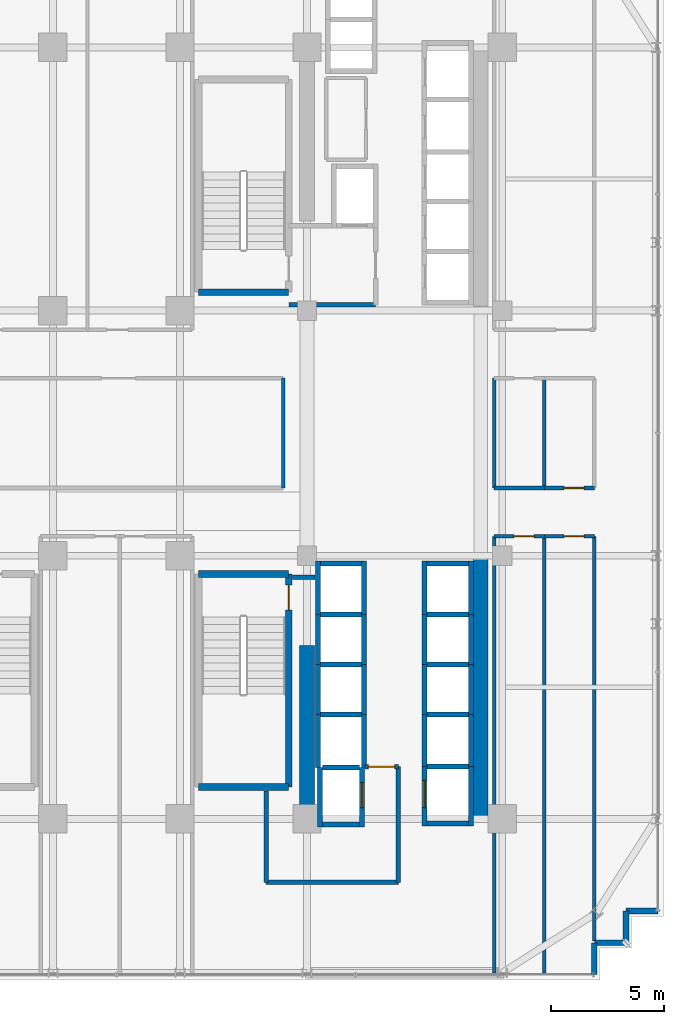
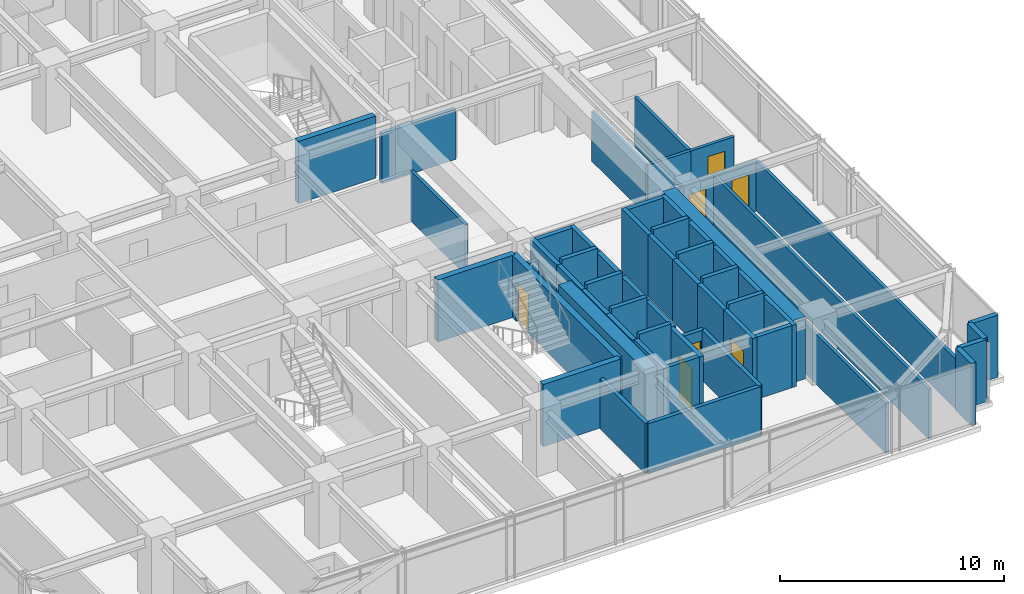
# One storey, part 33 of 39: 58 walls, 7 doors, 7 openings.
"""IFC4 building model written with IfcOpenShell, lengths in metres."""

from ifc_helpers import new_model, si_unit, direction, frame, frame_2d, origin, place, context, subcontext, project, spatial, rectangle, extrude, source, transform, mapped, material, layer, layer_set, type_object, element, fill, save


model = new_model("IFC4")

# Units and contexts
model_context = context("Model", 3, precision=1e-05, world=origin(), true_north=direction((0.0, 1.0)))
body_context = subcontext(model_context, "Body", "Model", "MODEL_VIEW")
ifc_project = project(units=[si_unit("LENGTHUNIT", "METRE"), si_unit("AREAUNIT", "SQUARE_METRE"), si_unit("VOLUMEUNIT", "CUBIC_METRE"), si_unit("PLANEANGLEUNIT", "RADIAN"), si_unit("MASSUNIT", "GRAM", prefix="KILO")], contexts=[model_context])

# Site, building, storey
site_placement = place(None, origin())
site = spatial("IfcSite", under=ifc_project, at=site_placement, CompositionType="ELEMENT")
building_placement = place(site_placement, origin())
building = spatial("IfcBuilding", under=site, at=building_placement, Name="Nahalor Promenade Grand Hotel", CompositionType="ELEMENT")
storey_placement = place(building_placement, frame((0.0, 0.0, 135.75)))
storey = spatial("IfcBuildingStorey", under=building, at=storey_placement, Name="L34", CompositionType="ELEMENT", Elevation=135.75)

# Walls
ifc_material_1 = material(Name="Concrete B-60 (C50/60)", Category="concrete")
ifc_layer_1 = layer(ifc_material_1, 0.64990234375)
ifc_layer_set_1 = layer_set([ifc_layer_1], Name="Concrete B-60 (C50/60)")
wall_type_1 = type_object("IfcWallType", Name="Wall-CoreShear-650", PredefinedType="SHEAR", material=ifc_layer_set_1)
shared_shape_1 = source(origin(), body_context, "Body", "SweptSolid", [
    extrude(rectangle(XDim=7.64990234375, YDim=0.64990234375, at=frame_2d((3.824951171875, 0.0))), origin(), (0.0, 0.0, 1.0), 3.3798828125),
])
wall_1_placement = place(storey_placement, frame((8.39990234375, -17.0, 0.0), z_axis=(0.0, 0.0, 1.0), x_axis=(0.0, 1.0, 0.0)))
element("IfcWall", 1, at=wall_1_placement, inside=storey, type_object=wall_type_1, Name="CWALL-L34-SW", PredefinedType="SHEAR", context=body_context, shape_type="MappedRepresentation", body=[
    mapped(shared_shape_1, transform((0.0, 0.0, 0.0), scale=1.0)),
])
shared_shape_2 = source(origin(), body_context, "Body", "SweptSolid", [
    extrude(rectangle(XDim=11.60009765625, YDim=0.64990234375, at=frame_2d((5.800048828125, 0.0))), origin(), (0.0, 0.0, 1.0), 3.3798828125),
])
wall_2_placement = place(storey_placement, frame((16.050048828125, -17.0, 0.0), z_axis=(0.0, 0.0, 1.0), x_axis=(0.0, 1.0, 0.0)))
element("IfcWall", 2, at=wall_2_placement, inside=storey, type_object=wall_type_1, Name="CWALL-L34-SE", PredefinedType="SHEAR", context=body_context, shape_type="MappedRepresentation", body=[
    mapped(shared_shape_2, transform((0.0, 0.0, 0.0), scale=1.0)),
])
ifc_material_2 = material(Name="Concrete B-50 (C40/50)", Category="concrete")
ifc_layer_2 = layer(ifc_material_2, 0.300048828125)
ifc_layer_set_2 = layer_set([ifc_layer_2], Name="Concrete B-50 (C40/50)")
wall_type_2 = type_object("IfcWallType", Name="Wall-ShaftShear-300", PredefinedType="SHEAR", material=ifc_layer_set_2)
shared_shape_3 = source(origin(), body_context, "Body", "SweptSolid", [
    extrude(rectangle(XDim=3.97998046875, YDim=0.300048828125, at=frame_2d((1.989990234375, 0.0))), origin(), (0.0, 0.0, 1.0), 3.3798828125),
])
for number, where, z_axis, x_axis, name in (
    (3, (3.610107421875, 6.2099609375, 0.0), (0.0, 0.0, 1.0), (1.0, 0.0, 0.0), "L34 Exit Stair ST1 Shaft Wall S"),
    (4, (3.610107421875, -15.590087890625, 0.0), (0.0, 0.0, 1.0), (1.0, 0.0, 0.0), "L34 Exit Stair ST2 Shaft Wall S"),
    (5, (3.610107421875, -6.2099609375, 0.0), (0.0, 0.0, 1.0), (1.0, 0.0, 0.0), "L34 Exit Stair ST2 Shaft Wall N"),
):
    element("IfcWall", number, at=place(storey_placement, frame(where, z_axis=z_axis, x_axis=x_axis)), inside=storey, type_object=wall_type_2, Name=name, PredefinedType="SHEAR", context=body_context, shape_type="MappedRepresentation", body=[
        mapped(shared_shape_3, transform((0.0, 0.0, 0.0), scale=1.0)),
    ])

# Wall, opening, door
shared_shape_4 = source(origin(), body_context, "Body", "SweptSolid", [
    extrude(rectangle(XDim=9.380126953125, YDim=0.300048828125, at=frame_2d((4.68994140625, 0.0))), origin(), (0.0, 0.0, 1.0), 3.3798828125),
])
wall_3_placement = place(storey_placement, frame((7.590087890625, -15.590087890625, 0.0), z_axis=(0.0, 0.0, 1.0), x_axis=(0.0, 1.0, 0.0)))
wall_3 = element("IfcWall", 6, at=wall_3_placement, inside=storey, type_object=wall_type_2, Name="L34 Exit Stair ST2 Shaft Wall E", PredefinedType="SHEAR", context=body_context, shape_type="MappedRepresentation", body=[
    mapped(shared_shape_4, transform((0.0, 0.0, 0.0), scale=1.0)),
])
opening_1_placement = place(wall_3_placement, frame((7.7900390625, 0.0, 0.0)))
opening_1 = element("IfcOpeningElement", 7, at=opening_1_placement, cuts=wall_3, Name="Opening D-ST1", PredefinedType="OPENING", context=body_context, shape_type="SweptSolid", body=[
    extrude(rectangle(XDim=1.10009765625, YDim=2.14990234375, at=frame_2d((0.550048828125, 1.074951171875))), frame((0.0, 0.159912109375, 0.0), z_axis=(0.0, -1.0, 0.0), x_axis=(1.0, 0.0, 0.0)), (0.0, 0.0, 1.0), 0.320068359375),
])
ifc_material_3 = material(Name="Steel S355JR", Category="steel")
door_type_1 = type_object("IfcDoorType", Name="Door-StairFire-1100", OperationType="NOTDEFINED", PredefinedType="DOOR", material=ifc_material_3)
shared_shape_5 = source(origin(), body_context, "Body", "SweptSolid", [
    extrude(rectangle(XDim=1.10009765625, YDim=2.14990234375, at=frame_2d((0.550048828125, 1.074951171875))), frame((0.0, 0.02490234375, 0.0), z_axis=(0.0, -1.0, 0.0), x_axis=(1.0, 0.0, 0.0)), (0.0, 0.0, 1.0), 0.050048828125),
])
door_1_placement = place(opening_1_placement, origin())
door_1 = element("IfcDoor", 8, at=door_1_placement, inside=storey, type_object=door_type_1, Name="DR-STAIR-ST2-L34", OperationType="SINGLE_SWING_LEFT", OverallHeight=2.14990234375, OverallWidth=1.10009765625, PredefinedType="DOOR", context=body_context, shape_type="MappedRepresentation", body=[
    mapped(shared_shape_5, transform((0.0, 0.0, 0.0), scale=1.0)),
])
fill(opening_1, door_1)

# Walls
ifc_layer_3 = layer(ifc_material_2, 0.219970703125)
ifc_layer_set_3 = layer_set([ifc_layer_3], Name="Concrete B-50 (C40/50)")
wall_type_3 = type_object("IfcWallType", Name="Wall-LiftShaft-220", PredefinedType="SHEAR", material=ifc_layer_set_3)
shared_shape_6 = source(origin(), body_context, "Body", "SweptSolid", [
    extrude(rectangle(XDim=1.820068359375, YDim=0.219970703125, at=frame_2d((0.91015625, 0.0))), origin(), (0.0, 0.0, 1.0), 3.64990234375),
])
for number, where, z_axis, x_axis, name in (
    (9, (13.68994140625, -8.0, 0.0), (0.0, 0.0, 1.0), (1.0, 0.0, 0.0), "L34 Lift PL6 Hoistway Wall N"),
    (10, (13.68994140625, -10.199951171875, 0.0), (0.0, 0.0, 1.0), (1.0, 0.0, 0.0), "L34 Lift PL7 Hoistway Wall N"),
    (11, (13.68994140625, -12.39990234375, 0.0), (0.0, 0.0, 1.0), (1.0, 0.0, 0.0), "L34 Lift PL8 Hoistway Wall N"),
    (12, (8.989990234375, -8.0, 0.0), (0.0, 0.0, 1.0), (1.0, 0.0, 0.0), "L34 Lift PL10 Hoistway Wall N"),
    (13, (8.989990234375, -10.199951171875, 0.0), (0.0, 0.0, 1.0), (1.0, 0.0, 0.0), "L34 Lift PL11 Hoistway Wall N"),
    (14, (8.989990234375, -12.39990234375, 0.0), (0.0, 0.0, 1.0), (1.0, 0.0, 0.0), "L34 Lift PL12 Hoistway Wall N"),
    (15, (13.68994140625, -14.699951171875, 0.0), (0.0, 0.0, 1.0), (1.0, 0.0, 0.0), "L34 Lift SV2 Hoistway Wall N"),
):
    element("IfcWall", number, at=place(storey_placement, frame(where, z_axis=z_axis, x_axis=x_axis)), inside=storey, type_object=wall_type_3, Name=name, PredefinedType="SHEAR", context=body_context, shape_type="MappedRepresentation", body=[
        mapped(shared_shape_6, transform((0.0, 0.0, 0.0), scale=1.0)),
    ])
shared_shape_7 = source(origin(), body_context, "Body", "SweptSolid", [
    extrude(rectangle(XDim=2.360107421875, YDim=0.219970703125, at=frame_2d((1.18017578125, 0.0))), origin(), (0.0, 0.0, 1.0), 3.3798828125),
])
for number, where, z_axis, x_axis, name in (
    (16, (13.580078125, -8.0, 0.0), (0.0, 0.0, 1.0), (0.0, 1.0, 0.0), "L34 Lift PL5 Hoistway Wall W"),
    (17, (15.6201171875, -8.0, 0.0), (0.0, 0.0, 1.0), (0.0, 1.0, 0.0), "L34 Lift PL5 Hoistway Wall E"),
    (18, (8.8798828125, -8.0, 0.0), (0.0, 0.0, 1.0), (0.0, 1.0, 0.0), "L34 Lift PL9 Hoistway Wall W"),
    (19, (10.919921875, -8.0, 0.0), (0.0, 0.0, 1.0), (0.0, 1.0, 0.0), "L34 Lift PL9 Hoistway Wall E"),
):
    element("IfcWall", number, at=place(storey_placement, frame(where, z_axis=z_axis, x_axis=x_axis)), inside=storey, type_object=wall_type_3, Name=name, PredefinedType="SHEAR", context=body_context, shape_type="MappedRepresentation", body=[
        mapped(shared_shape_7, transform((0.0, 0.0, 0.0), scale=1.0)),
    ])
shared_shape_8 = source(origin(), body_context, "Body", "SweptSolid", [
    extrude(rectangle(XDim=1.820068359375, YDim=0.219970703125, at=frame_2d((0.91015625, 0.0))), origin(), (0.0, 0.0, 1.0), 3.3798828125),
])
for number, where, z_axis, x_axis, name in (
    (20, (13.68994140625, -5.75, 0.0), (0.0, 0.0, 1.0), (1.0, 0.0, 0.0), "L34 Lift PL5 Hoistway Wall N"),
    (21, (8.989990234375, -5.75, 0.0), (0.0, 0.0, 1.0), (1.0, 0.0, 0.0), "L34 Lift PL9 Hoistway Wall N"),
    (22, (13.68994140625, -17.199951171875, 0.0), (0.0, 0.0, 1.0), (1.0, 0.0, 0.0), "L34 Lift SV2 Hoistway Wall S"),
):
    element("IfcWall", number, at=place(storey_placement, frame(where, z_axis=z_axis, x_axis=x_axis)), inside=storey, type_object=wall_type_3, Name=name, PredefinedType="SHEAR", context=body_context, shape_type="MappedRepresentation", body=[
        mapped(shared_shape_8, transform((0.0, 0.0, 0.0), scale=1.0)),
    ])
shared_shape_9 = source(origin(), body_context, "Body", "SweptSolid", [
    extrude(rectangle(XDim=2.199951171875, YDim=0.219970703125, at=frame_2d((1.10009765625, 0.0))), origin(), (0.0, 0.0, 1.0), 3.3798828125),
])
for number, where, z_axis, x_axis, name in (
    (23, (13.580078125, -10.199951171875, 0.0), (0.0, 0.0, 1.0), (0.0, 1.0, 0.0), "L34 Lift PL6 Hoistway Wall W"),
    (24, (15.6201171875, -10.199951171875, 0.0), (0.0, 0.0, 1.0), (0.0, 1.0, 0.0), "L34 Lift PL6 Hoistway Wall E"),
    (25, (13.580078125, -12.39990234375, 0.0), (0.0, 0.0, 1.0), (0.0, 1.0, 0.0), "L34 Lift PL7 Hoistway Wall W"),
    (26, (15.6201171875, -12.39990234375, 0.0), (0.0, 0.0, 1.0), (0.0, 1.0, 0.0), "L34 Lift PL7 Hoistway Wall E"),
    (27, (8.8798828125, -10.199951171875, 0.0), (0.0, 0.0, 1.0), (0.0, 1.0, 0.0), "L34 Lift PL10 Hoistway Wall W"),
    (28, (10.919921875, -10.199951171875, 0.0), (0.0, 0.0, 1.0), (0.0, 1.0, 0.0), "L34 Lift PL10 Hoistway Wall E"),
    (29, (8.8798828125, -12.39990234375, 0.0), (0.0, 0.0, 1.0), (0.0, 1.0, 0.0), "L34 Lift PL11 Hoistway Wall W"),
    (30, (10.919921875, -12.39990234375, 0.0), (0.0, 0.0, 1.0), (0.0, 1.0, 0.0), "L34 Lift PL11 Hoistway Wall E"),
):
    element("IfcWall", number, at=place(storey_placement, frame(where, z_axis=z_axis, x_axis=x_axis)), inside=storey, type_object=wall_type_3, Name=name, PredefinedType="SHEAR", context=body_context, shape_type="MappedRepresentation", body=[
        mapped(shared_shape_9, transform((0.0, 0.0, 0.0), scale=1.0)),
    ])
shared_shape_10 = source(origin(), body_context, "Body", "SweptSolid", [
    extrude(rectangle(XDim=2.300048828125, YDim=0.219970703125, at=frame_2d((1.14990234375, 0.0))), origin(), (0.0, 0.0, 1.0), 3.3798828125),
])
for number, where, z_axis, x_axis, name in (
    (31, (13.580078125, -14.699951171875, 0.0), (0.0, 0.0, 1.0), (0.0, 1.0, 0.0), "L34 Lift PL8 Hoistway Wall W"),
    (32, (15.6201171875, -14.699951171875, 0.0), (0.0, 0.0, 1.0), (0.0, 1.0, 0.0), "L34 Lift PL8 Hoistway Wall E"),
):
    element("IfcWall", number, at=place(storey_placement, frame(where, z_axis=z_axis, x_axis=x_axis)), inside=storey, type_object=wall_type_3, Name=name, PredefinedType="SHEAR", context=body_context, shape_type="MappedRepresentation", body=[
        mapped(shared_shape_10, transform((0.0, 0.0, 0.0), scale=1.0)),
    ])
shared_shape_11 = source(origin(), body_context, "Body", "SweptSolid", [
    extrude(rectangle(XDim=2.3251953125, YDim=0.219970703125, at=frame_2d((1.16259765625, 0.0))), origin(), (0.0, 0.0, 1.0), 3.3798828125),
])
for number, where, z_axis, x_axis, name in (
    (33, (8.8798828125, -14.72509765625, 0.0), (0.0, 0.0, 1.0), (0.0, 1.0, 0.0), "L34 Lift PL12 Hoistway Wall W"),
    (34, (10.919921875, -14.72509765625, 0.0), (0.0, 0.0, 1.0), (0.0, 1.0, 0.0), "L34 Lift PL12 Hoistway Wall E"),
):
    element("IfcWall", number, at=place(storey_placement, frame(where, z_axis=z_axis, x_axis=x_axis)), inside=storey, type_object=wall_type_3, Name=name, PredefinedType="SHEAR", context=body_context, shape_type="MappedRepresentation", body=[
        mapped(shared_shape_11, transform((0.0, 0.0, 0.0), scale=1.0)),
    ])
shared_shape_12 = source(origin(), body_context, "Body", "SweptSolid", [
    extrude(rectangle(XDim=1.619873046875, YDim=0.219970703125, at=frame_2d((0.81005859375, 0.0))), origin(), (0.0, 0.0, 1.0), 3.64990234375),
])
wall_4_placement = place(storey_placement, frame((9.090087890625, -14.72509765625, 0.0), z_axis=(0.0, 0.0, 1.0), x_axis=(1.0, 0.0, 0.0)))
element("IfcWall", 35, at=wall_4_placement, inside=storey, type_object=wall_type_3, Name="L34 Lift FL2 Hoistway Wall N", PredefinedType="SHEAR", context=body_context, shape_type="MappedRepresentation", body=[
    mapped(shared_shape_12, transform((0.0, 0.0, 0.0), scale=1.0)),
])
shared_shape_13 = source(origin(), body_context, "Body", "SweptSolid", [
    extrude(rectangle(XDim=2.635009765625, YDim=0.219970703125, at=frame_2d((1.3173828125, 0.0))), origin(), (0.0, 0.0, 1.0), 3.3798828125),
])
wall_5_placement = place(storey_placement, frame((8.97998046875, -17.360107421875, 0.0), z_axis=(0.0, 0.0, 1.0), x_axis=(0.0, 1.0, 0.0)))
element("IfcWall", 36, at=wall_5_placement, inside=storey, type_object=wall_type_3, Name="L34 Lift FL2 Hoistway Wall W", PredefinedType="SHEAR", context=body_context, shape_type="MappedRepresentation", body=[
    mapped(shared_shape_13, transform((0.0, 0.0, 0.0), scale=1.0)),
])

# Wall, opening, door
wall_6_placement = place(storey_placement, frame((10.820068359375, -17.360107421875, 0.0), z_axis=(0.0, 0.0, 1.0), x_axis=(0.0, 1.0, 0.0)))
wall_6 = element("IfcWall", 37, at=wall_6_placement, inside=storey, type_object=wall_type_3, Name="L34 Lift FL2 Hoistway Wall E", PredefinedType="SHEAR", context=body_context, shape_type="MappedRepresentation", body=[
    mapped(shared_shape_13, transform((0.0, 0.0, 0.0), scale=1.0)),
])
opening_2_placement = place(wall_6_placement, frame((0.860107421875, 0.0, 0.0)))
opening_2 = element("IfcOpeningElement", 38, at=opening_2_placement, cuts=wall_6, Name="Opening LD-02", PredefinedType="OPENING", context=body_context, shape_type="SweptSolid", body=[
    extrude(rectangle(XDim=1.10009765625, YDim=2.199951171875, at=frame_2d((0.550048828125, 1.10009765625))), frame((0.0, 0.119873046875, 0.0), z_axis=(0.0, -1.0, 0.0), x_axis=(1.0, 0.0, 0.0)), (0.0, 0.0, 1.0), 0.239990234375),
])
door_type_2 = type_object("IfcDoorType", Name="Door-LiftFF-1100", OperationType="DOUBLE_DOOR_SLIDING", PredefinedType="DOOR", material=ifc_material_3)
shared_shape_14 = source(origin(), body_context, "Body", "SweptSolid", [
    extrude(rectangle(XDim=1.10009765625, YDim=2.199951171875, at=frame_2d((0.550048828125, 1.10009765625))), frame((0.0, 0.02490234375, 0.0), z_axis=(0.0, -1.0, 0.0), x_axis=(1.0, 0.0, 0.0)), (0.0, 0.0, 1.0), 0.050048828125),
])
door_2_placement = place(opening_2_placement, frame((1.10009765625, 0.0, 0.0), z_axis=(0.0, 0.0, 1.0), x_axis=(-1.0, 0.0, 0.0)))
door_2 = element("IfcDoor", 39, at=door_2_placement, inside=storey, type_object=door_type_2, Name="DR-LIFT-FL2-L34", OperationType="DOUBLE_DOOR_SLIDING", OverallHeight=2.199951171875, OverallWidth=1.10009765625, PredefinedType="DOOR", context=body_context, shape_type="MappedRepresentation", body=[
    mapped(shared_shape_14, transform((0.0, 0.0, 0.0), scale=1.0)),
])
fill(opening_2, door_2)

# Wall
shared_shape_15 = source(origin(), body_context, "Body", "SweptSolid", [
    extrude(rectangle(XDim=1.619873046875, YDim=0.219970703125, at=frame_2d((0.81005859375, 0.0))), origin(), (0.0, 0.0, 1.0), 3.3798828125),
])
wall_7_placement = place(storey_placement, frame((9.090087890625, -17.25, 0.0), z_axis=(0.0, 0.0, 1.0), x_axis=(1.0, 0.0, 0.0)))
element("IfcWall", 40, at=wall_7_placement, inside=storey, type_object=wall_type_3, Name="L34 Lift FL2 Hoistway Wall S", PredefinedType="SHEAR", context=body_context, shape_type="MappedRepresentation", body=[
    mapped(shared_shape_15, transform((0.0, 0.0, 0.0), scale=1.0)),
])

# Wall, opening, door
shared_shape_16 = source(origin(), body_context, "Body", "SweptSolid", [
    extrude(rectangle(XDim=2.610107421875, YDim=0.219970703125, at=frame_2d((1.30517578125, 0.0))), origin(), (0.0, 0.0, 1.0), 3.3798828125),
])
wall_8_placement = place(storey_placement, frame((13.580078125, -17.31005859375, 0.0), z_axis=(0.0, 0.0, 1.0), x_axis=(0.0, 1.0, 0.0)))
wall_8 = element("IfcWall", 41, at=wall_8_placement, inside=storey, type_object=wall_type_3, Name="L34 Lift SV2 Hoistway Wall W", PredefinedType="SHEAR", context=body_context, shape_type="MappedRepresentation", body=[
    mapped(shared_shape_16, transform((0.0, 0.0, 0.0), scale=1.0)),
])
opening_3_placement = place(wall_8_placement, frame((0.81005859375, 0.0, 0.0)))
opening_3 = element("IfcOpeningElement", 42, at=opening_3_placement, cuts=wall_8, Name="Opening LD-03", PredefinedType="OPENING", context=body_context, shape_type="SweptSolid", body=[
    extrude(rectangle(XDim=1.199951171875, YDim=2.199951171875, at=frame_2d((0.60009765625, 1.10009765625))), frame((0.0, 0.119873046875, 0.0), z_axis=(0.0, -1.0, 0.0), x_axis=(1.0, 0.0, 0.0)), (0.0, 0.0, 1.0), 0.239990234375),
])
door_type_3 = type_object("IfcDoorType", Name="Door-LiftService-1200", OperationType="DOUBLE_DOOR_SLIDING", PredefinedType="DOOR", material=ifc_material_3)
shared_shape_17 = source(origin(), body_context, "Body", "SweptSolid", [
    extrude(rectangle(XDim=1.199951171875, YDim=2.199951171875, at=frame_2d((0.60009765625, 1.10009765625))), frame((0.0, 0.02490234375, 0.0), z_axis=(0.0, -1.0, 0.0), x_axis=(1.0, 0.0, 0.0)), (0.0, 0.0, 1.0), 0.050048828125),
])
door_3_placement = place(opening_3_placement, origin())
door_3 = element("IfcDoor", 43, at=door_3_placement, inside=storey, type_object=door_type_3, Name="DR-LIFT-SV2-L34", OperationType="DOUBLE_DOOR_SLIDING", OverallHeight=2.199951171875, OverallWidth=1.199951171875, PredefinedType="DOOR", context=body_context, shape_type="MappedRepresentation", body=[
    mapped(shared_shape_17, transform((0.0, 0.0, 0.0), scale=1.0)),
])
fill(opening_3, door_3)

# Walls
wall_9_placement = place(storey_placement, frame((15.6201171875, -17.31005859375, 0.0), z_axis=(0.0, 0.0, 1.0), x_axis=(0.0, 1.0, 0.0)))
element("IfcWall", 44, at=wall_9_placement, inside=storey, type_object=wall_type_3, Name="L34 Lift SV2 Hoistway Wall E", PredefinedType="SHEAR", context=body_context, shape_type="MappedRepresentation", body=[
    mapped(shared_shape_16, transform((0.0, 0.0, 0.0), scale=1.0)),
])
ifc_material_4 = material(Name="Concrete B-40 (C32/40)", Category="concrete")
ifc_layer_4 = layer(ifc_material_4, 0.25)
ifc_layer_set_4 = layer_set([ifc_layer_4], Name="Concrete B-40 (C32/40)")
wall_type_4 = type_object("IfcWallType", Name="Wall-BronzePier-250", PredefinedType="STANDARD", material=ifc_layer_set_4)
shared_shape_18 = source(origin(), body_context, "Body", "SweptSolid", [
    extrude(rectangle(XDim=1.400146484375, YDim=0.25, at=frame_2d((0.7001953125, 0.0))), origin(), (0.0, 0.0, 1.0), 3.3798828125),
])
for number, where, z_axis, x_axis, name in (
    (45, (21.06005859375, -23.860107421875, 0.0), (0.0, 0.0, 1.0), (0.0, 1.0, 0.0), "W-L34-SR-01"),
    (46, (22.4599609375, -21.06005859375, 0.0), (0.0, 0.0, 1.0), (1.0, 0.0, 0.0), "W-L34-SR-04"),
):
    element("IfcWall", number, at=place(storey_placement, frame(where, z_axis=z_axis, x_axis=x_axis)), inside=storey, type_object=wall_type_4, Name=name, PredefinedType="STANDARD", context=body_context, shape_type="MappedRepresentation", body=[
        mapped(shared_shape_18, transform((0.0, 0.0, 0.0), scale=1.0)),
    ])
shared_shape_19 = source(origin(), body_context, "Body", "SweptSolid", [
    extrude(rectangle(XDim=1.39990234375, YDim=0.25, at=frame_2d((0.699951171875, 0.0))), origin(), (0.0, 0.0, 1.0), 3.3798828125),
])
for number, where, z_axis, x_axis, name in (
    (47, (21.06005859375, -22.4599609375, 0.0), (0.0, 0.0, 1.0), (1.0, 0.0, 0.0), "W-L34-SR-02"),
    (48, (22.4599609375, -22.4599609375, 0.0), (0.0, 0.0, 1.0), (0.0, 1.0, 0.0), "W-L34-SR-03"),
):
    element("IfcWall", number, at=place(storey_placement, frame(where, z_axis=z_axis, x_axis=x_axis)), inside=storey, type_object=wall_type_4, Name=name, PredefinedType="STANDARD", context=body_context, shape_type="MappedRepresentation", body=[
        mapped(shared_shape_19, transform((0.0, 0.0, 0.0), scale=1.0)),
    ])
ifc_layer_5 = layer(ifc_material_4, 0.199951171875)
ifc_layer_set_5 = layer_set([ifc_layer_5], Name="Concrete B-40 (C32/40)")
wall_type_5 = type_object("IfcWallType", Name="Wall-PartFire-200", PredefinedType="PARTITIONING", material=ifc_layer_set_5)
shared_shape_20 = source(origin(), body_context, "Body", "SweptSolid", [
    extrude(rectangle(XDim=3.81982421875, YDim=0.199951171875, at=frame_2d((1.909912109375, 0.0))), origin(), (0.0, 0.0, 1.0), 2.719970703125),
])
wall_10_placement = place(storey_placement, frame((7.60009765625, 5.64990234375, 0.0), z_axis=(0.0, 0.0, 1.0), x_axis=(1.0, 0.0, 0.0)))
element("IfcWall", 49, at=wall_10_placement, inside=storey, type_object=wall_type_5, Name="W-L34-FF1-S", PredefinedType="PARTITIONING", context=body_context, shape_type="MappedRepresentation", body=[
    mapped(shared_shape_20, transform((0.0, 0.0, 0.0), scale=1.0)),
])
shared_shape_21 = source(origin(), body_context, "Body", "SweptSolid", [
    extrude(rectangle(XDim=5.81982421875, YDim=0.199951171875, at=frame_2d((2.909912109375, 0.0))), origin(), (0.0, 0.0, 1.0), 2.719970703125),
])
wall_11_placement = place(storey_placement, frame((6.60009765625, -19.800048828125, 0.0), z_axis=(0.0, 0.0, 1.0), x_axis=(1.0, 0.0, 0.0)))
element("IfcWall", 50, at=wall_11_placement, inside=storey, type_object=wall_type_5, Name="W-L34-FF2-S1", PredefinedType="PARTITIONING", context=body_context, shape_type="MappedRepresentation", body=[
    mapped(shared_shape_21, transform((0.0, 0.0, 0.0), scale=1.0)),
])
shared_shape_22 = source(origin(), body_context, "Body", "SweptSolid", [
    extrude(rectangle(XDim=4.030029296875, YDim=0.199951171875, at=frame_2d((2.01513671875, 0.0))), origin(), (0.0, 0.0, 1.0), 2.719970703125),
])
wall_12_placement = place(storey_placement, frame((6.60009765625, -19.800048828125, 0.0), z_axis=(0.0, 0.0, 1.0), x_axis=(0.0, 1.0, 0.0)))
element("IfcWall", 51, at=wall_12_placement, inside=storey, type_object=wall_type_5, Name="W-L34-FF2-W1", PredefinedType="PARTITIONING", context=body_context, shape_type="MappedRepresentation", body=[
    mapped(shared_shape_22, transform((0.0, 0.0, 0.0), scale=1.0)),
])
shared_shape_23 = source(origin(), body_context, "Body", "SweptSolid", [
    extrude(rectangle(XDim=5.10009765625, YDim=0.199951171875, at=frame_2d((2.550048828125, 0.0))), origin(), (0.0, 0.0, 1.0), 2.719970703125),
])
wall_13_placement = place(storey_placement, frame((12.419921875, -19.800048828125, 0.0), z_axis=(0.0, 0.0, 1.0), x_axis=(0.0, 1.0, 0.0)))
element("IfcWall", 52, at=wall_13_placement, inside=storey, type_object=wall_type_5, Name="W-L34-FF2-E", PredefinedType="PARTITIONING", context=body_context, shape_type="MappedRepresentation", body=[
    mapped(shared_shape_23, transform((0.0, 0.0, 0.0), scale=1.0)),
])

# Wall, opening, door
shared_shape_24 = source(origin(), body_context, "Body", "SweptSolid", [
    extrude(rectangle(XDim=1.4599609375, YDim=0.199951171875, at=frame_2d((0.72998046875, 0.0))), origin(), (0.0, 0.0, 1.0), 2.719970703125),
])
wall_14_placement = place(storey_placement, frame((10.9599609375, -14.699951171875, 0.0), z_axis=(0.0, 0.0, 1.0), x_axis=(1.0, 0.0, 0.0)))
wall_14 = element("IfcWall", 53, at=wall_14_placement, inside=storey, type_object=wall_type_5, Name="W-L34-FF2-N1", PredefinedType="PARTITIONING", context=body_context, shape_type="MappedRepresentation", body=[
    mapped(shared_shape_24, transform((0.0, 0.0, 0.0), scale=1.0)),
])
opening_4_placement = place(wall_14_placement, frame((0.14501953125, 0.0, 0.0)))
opening_4 = element("IfcOpeningElement", 54, at=opening_4_placement, cuts=wall_14, Name="Opening D-FF1", PredefinedType="OPENING", context=body_context, shape_type="SweptSolid", body=[
    extrude(rectangle(XDim=1.14990234375, YDim=2.14990234375, at=frame_2d((0.574951171875, 1.074951171875))), frame((0.0, 0.10986328125, 0.0), z_axis=(0.0, -1.0, 0.0), x_axis=(1.0, 0.0, 0.0)), (0.0, 0.0, 1.0), 0.219970703125),
])
door_type_4 = type_object("IfcDoorType", Name="Door-FFLobby-1150", OperationType="NOTDEFINED", PredefinedType="DOOR", material=ifc_material_3)
shared_shape_25 = source(origin(), body_context, "Body", "SweptSolid", [
    extrude(rectangle(XDim=1.14990234375, YDim=2.14990234375, at=frame_2d((0.574951171875, 1.074951171875))), frame((0.0, 0.02490234375, 0.0), z_axis=(0.0, -1.0, 0.0), x_axis=(1.0, 0.0, 0.0)), (0.0, 0.0, 1.0), 0.050048828125),
])
door_4_placement = place(opening_4_placement, origin())
door_4 = element("IfcDoor", 55, at=door_4_placement, inside=storey, type_object=door_type_4, Name="DR-L34-FFL2", OperationType="SINGLE_SWING_LEFT", OverallHeight=2.14990234375, OverallWidth=1.14990234375, PredefinedType="DOOR", context=body_context, shape_type="MappedRepresentation", body=[
    mapped(shared_shape_25, transform((0.0, 0.0, 0.0), scale=1.0)),
])
fill(opening_4, door_4)

# Walls
shared_shape_26 = source(origin(), body_context, "Body", "SweptSolid", [
    extrude(rectangle(XDim=0.969970703125, YDim=0.199951171875, at=frame_2d((0.48486328125, 0.0))), origin(), (0.0, 0.0, 1.0), 2.719970703125),
])
wall_15_placement = place(storey_placement, frame((7.77001953125, -6.35009765625, 0.0), z_axis=(0.0, 0.0, 1.0), x_axis=(1.0, 0.0, 0.0)))
element("IfcWall", 56, at=wall_15_placement, inside=storey, type_object=wall_type_5, Name="W-L34-FF2-N2", PredefinedType="PARTITIONING", context=body_context, shape_type="MappedRepresentation", body=[
    mapped(shared_shape_26, transform((0.0, 0.0, 0.0), scale=1.0)),
])
ifc_material_5 = material(Name="Acoustic Mineral Gypsum", Category="gypsum")
ifc_layer_6 = layer(ifc_material_5, 0.159912109375)
ifc_layer_set_6 = layer_set([ifc_layer_6], Name="Acoustic Mineral Gypsum")
wall_type_6 = type_object("IfcWallType", Name="Wall-PartCorridor-160", PredefinedType="PARTITIONING", material=ifc_layer_set_6)
shared_shape_27 = source(origin(), body_context, "Body", "SweptSolid", [
    extrude(rectangle(XDim=19.25, YDim=0.159912109375, at=frame_2d((9.625, 0.0))), origin(), (0.0, 0.0, 1.0), 2.719970703125),
])
for number, where, z_axis, x_axis, name in (
    (57, (16.64990234375, -23.800048828125, 0.0), (0.0, 0.0, 1.0), (0.0, 1.0, 0.0), "W-L34-ESE1-W"),
    (58, (18.85498046875, -23.800048828125, 0.0), (0.0, 0.0, 1.0), (0.0, 1.0, 0.0), "W-L34-ESE1-E"),
):
    element("IfcWall", number, at=place(storey_placement, frame(where, z_axis=z_axis, x_axis=x_axis)), inside=storey, type_object=wall_type_6, Name=name, PredefinedType="PARTITIONING", context=body_context, shape_type="MappedRepresentation", body=[
        mapped(shared_shape_27, transform((0.0, 0.0, 0.0), scale=1.0)),
    ])
shared_shape_28 = source(origin(), body_context, "Body", "SweptSolid", [
    extrude(rectangle(XDim=17.829833984375, YDim=0.159912109375, at=frame_2d((8.9150390625, 0.0))), origin(), (0.0, 0.0, 1.0), 2.719970703125),
])
wall_16_placement = place(storey_placement, frame((21.06005859375, -22.3798828125, 0.0), z_axis=(0.0, 0.0, 1.0), x_axis=(0.0, 1.0, 0.0)))
element("IfcWall", 59, at=wall_16_placement, inside=storey, type_object=wall_type_6, Name="W-L34-ESE2-E", PredefinedType="PARTITIONING", context=body_context, shape_type="MappedRepresentation", body=[
    mapped(shared_shape_28, transform((0.0, 0.0, 0.0), scale=1.0)),
])
shared_shape_29 = source(origin(), body_context, "Body", "SweptSolid", [
    extrude(rectangle(XDim=4.83984375, YDim=0.159912109375, at=frame_2d((2.419921875, 0.0))), origin(), (0.0, 0.0, 1.0), 2.719970703125),
])
for number, where, z_axis, x_axis, name in (
    (60, (7.35009765625, -2.419921875, 0.0), (0.0, 0.0, 1.0), (0.0, 1.0, 0.0), "W-L34-CM1-E"),
    (61, (16.64990234375, -2.419921875, 0.0), (0.0, 0.0, 1.0), (0.0, 1.0, 0.0), "W-L34-ECW1-W"),
    (62, (18.85498046875, -2.419921875, 0.0), (0.0, 0.0, 1.0), (0.0, 1.0, 0.0), "W-L34-ECW1-E"),
):
    element("IfcWall", number, at=place(storey_placement, frame(where, z_axis=z_axis, x_axis=x_axis)), inside=storey, type_object=wall_type_6, Name=name, PredefinedType="PARTITIONING", context=body_context, shape_type="MappedRepresentation", body=[
        mapped(shared_shape_29, transform((0.0, 0.0, 0.0), scale=1.0)),
    ])

# Wall, opening, door
shared_shape_30 = source(origin(), body_context, "Body", "SweptSolid", [
    extrude(rectangle(XDim=2.205078125, YDim=0.159912109375, at=frame_2d((1.1025390625, 0.0))), origin(), (0.0, 0.0, 1.0), 2.719970703125),
])
wall_17_placement = place(storey_placement, frame((16.64990234375, -4.550048828125, 0.0), z_axis=(0.0, 0.0, 1.0), x_axis=(1.0, 0.0, 0.0)))
wall_17 = element("IfcWall", 63, at=wall_17_placement, inside=storey, type_object=wall_type_6, Name="W-L34-ESE1-N", PredefinedType="PARTITIONING", context=body_context, shape_type="MappedRepresentation", body=[
    mapped(shared_shape_30, transform((0.0, 0.0, 0.0), scale=1.0)),
])
opening_5_placement = place(wall_17_placement, frame((0.875, 0.0, 0.0)))
opening_5 = element("IfcOpeningElement", 64, at=opening_5_placement, cuts=wall_17, Name="Opening D-03", PredefinedType="OPENING", context=body_context, shape_type="SweptSolid", body=[
    extrude(rectangle(XDim=0.8798828125, YDim=2.10009765625, at=frame_2d((0.43994140625, 1.050048828125))), frame((0.0, 0.08984375, 0.0), z_axis=(0.0, -1.0, 0.0), x_axis=(1.0, 0.0, 0.0)), (0.0, 0.0, 1.0), 0.179931640625),
])
ifc_material_6 = material(Name="Fire-Rated Timber Composite", Category="wood")
door_type_5 = type_object("IfcDoorType", Name="Door-BathSwing-880", OperationType="NOTDEFINED", PredefinedType="DOOR", material=ifc_material_6)
shared_shape_31 = source(origin(), body_context, "Body", "SweptSolid", [
    extrude(rectangle(XDim=0.8798828125, YDim=2.10009765625, at=frame_2d((0.43994140625, 1.050048828125))), frame((0.0, 0.02490234375, 0.0), z_axis=(0.0, -1.0, 0.0), x_axis=(1.0, 0.0, 0.0)), (0.0, 0.0, 1.0), 0.050048828125),
])
door_5_placement = place(opening_5_placement, frame((0.8798828125, 0.0, 0.0), z_axis=(0.0, 0.0, 1.0), x_axis=(-1.0, 0.0, 0.0)))
door_5 = element("IfcDoor", 65, at=door_5_placement, inside=storey, type_object=door_type_5, Name="DR-L34-ESE1", OperationType="SINGLE_SWING_LEFT", OverallHeight=2.10009765625, OverallWidth=0.8798828125, PredefinedType="DOOR", context=body_context, shape_type="MappedRepresentation", body=[
    mapped(shared_shape_31, transform((0.0, 0.0, 0.0), scale=1.0)),
])
fill(opening_5, door_5)

wall_18_placement = place(storey_placement, frame((18.85498046875, -4.550048828125, 0.0), z_axis=(0.0, 0.0, 1.0), x_axis=(1.0, 0.0, 0.0)))
wall_18 = element("IfcWall", 66, at=wall_18_placement, inside=storey, type_object=wall_type_6, Name="W-L34-ESE2-N", PredefinedType="PARTITIONING", context=body_context, shape_type="MappedRepresentation", body=[
    mapped(shared_shape_30, transform((0.0, 0.0, 0.0), scale=1.0)),
])
opening_6_placement = place(wall_18_placement, frame((0.875, 0.0, 0.0)))
opening_6 = element("IfcOpeningElement", 67, at=opening_6_placement, cuts=wall_18, Name="Opening D-03", PredefinedType="OPENING", context=body_context, shape_type="SweptSolid", body=[
    extrude(rectangle(XDim=0.8798828125, YDim=2.10009765625, at=frame_2d((0.43994140625, 1.050048828125))), frame((0.0, 0.08984375, 0.0), z_axis=(0.0, -1.0, 0.0), x_axis=(1.0, 0.0, 0.0)), (0.0, 0.0, 1.0), 0.179931640625),
])
door_6_placement = place(opening_6_placement, frame((0.8798828125, 0.0, 0.0), z_axis=(0.0, 0.0, 1.0), x_axis=(-1.0, 0.0, 0.0)))
door_6 = element("IfcDoor", 68, at=door_6_placement, inside=storey, type_object=door_type_5, Name="DR-L34-ESE2", OperationType="SINGLE_SWING_RIGHT", OverallHeight=2.10009765625, OverallWidth=0.8798828125, PredefinedType="DOOR", context=body_context, shape_type="MappedRepresentation", body=[
    mapped(shared_shape_31, transform((0.0, 0.0, 0.0), scale=1.0)),
])
fill(opening_6, door_6)

# Wall
wall_19_placement = place(storey_placement, frame((16.64990234375, -2.419921875, 0.0), z_axis=(0.0, 0.0, 1.0), x_axis=(1.0, 0.0, 0.0)))
element("IfcWall", 69, at=wall_19_placement, inside=storey, type_object=wall_type_6, Name="W-L34-ECW1-S", PredefinedType="PARTITIONING", context=body_context, shape_type="MappedRepresentation", body=[
    mapped(shared_shape_30, transform((0.0, 0.0, 0.0), scale=1.0)),
])

# Wall, opening, door
wall_20_placement = place(storey_placement, frame((18.85498046875, -2.419921875, 0.0), z_axis=(0.0, 0.0, 1.0), x_axis=(1.0, 0.0, 0.0)))
wall_20 = element("IfcWall", 70, at=wall_20_placement, inside=storey, type_object=wall_type_6, Name="W-L34-ECW2-S", PredefinedType="PARTITIONING", context=body_context, shape_type="MappedRepresentation", body=[
    mapped(shared_shape_30, transform((0.0, 0.0, 0.0), scale=1.0)),
])
opening_7_placement = place(wall_20_placement, frame((0.875, 0.0, 0.0)))
opening_7 = element("IfcOpeningElement", 71, at=opening_7_placement, cuts=wall_20, Name="Opening D-03", PredefinedType="OPENING", context=body_context, shape_type="SweptSolid", body=[
    extrude(rectangle(XDim=0.8798828125, YDim=2.10009765625, at=frame_2d((0.43994140625, 1.050048828125))), frame((0.0, 0.08984375, 0.0), z_axis=(0.0, -1.0, 0.0), x_axis=(1.0, 0.0, 0.0)), (0.0, 0.0, 1.0), 0.179931640625),
])
door_7_placement = place(opening_7_placement, origin())
door_7 = element("IfcDoor", 72, at=door_7_placement, inside=storey, type_object=door_type_5, Name="DR-L34-ECW2", OperationType="SINGLE_SWING_LEFT", OverallHeight=2.10009765625, OverallWidth=0.8798828125, PredefinedType="DOOR", context=body_context, shape_type="MappedRepresentation", body=[
    mapped(shared_shape_31, transform((0.0, 0.0, 0.0), scale=1.0)),
])
fill(opening_7, door_7)

save(model, "model.ifc")
